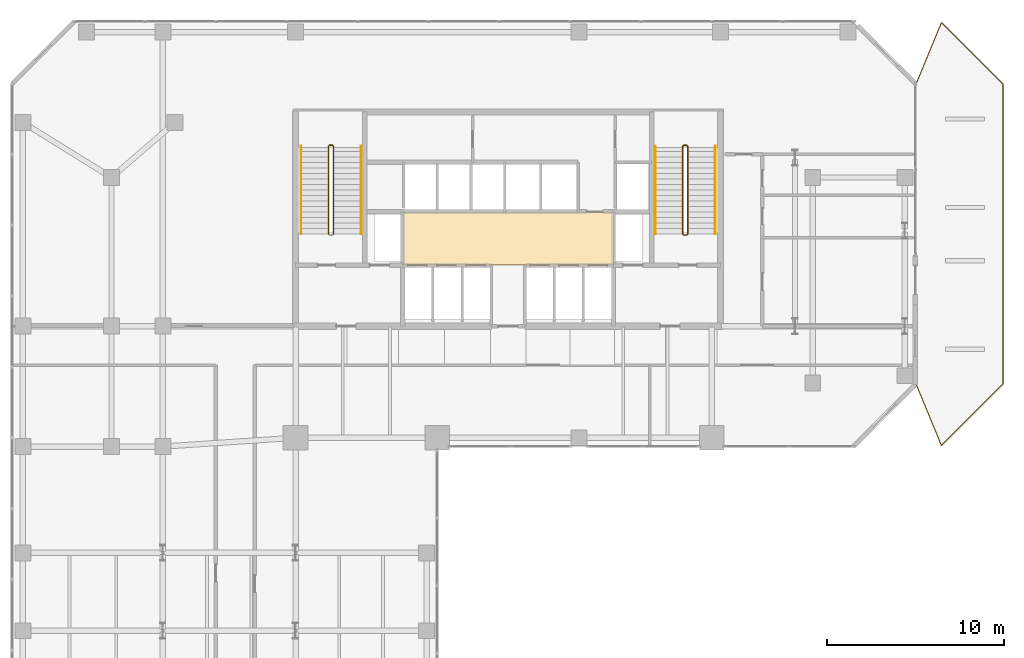
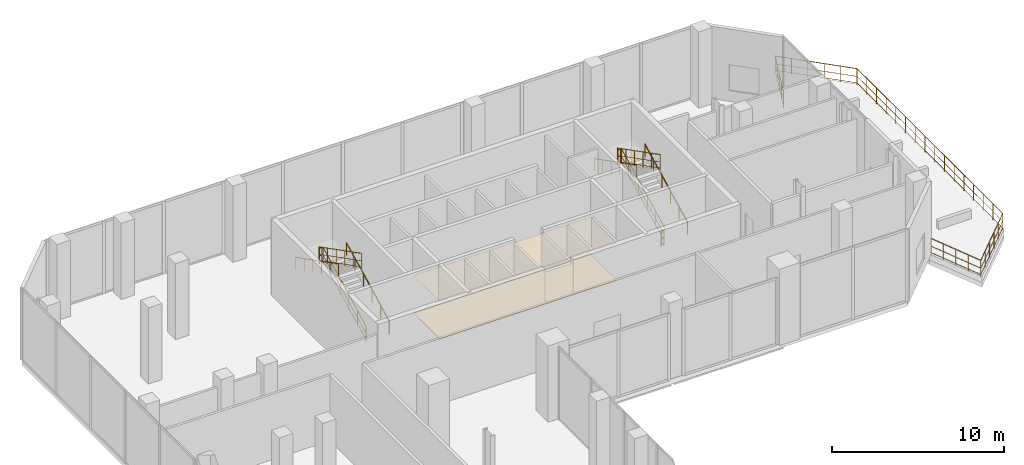
# One storey, part 24 of 24: 12 railings, 2 coverings.
"""IFC4 building model written with IfcOpenShell, lengths in metres."""

from ifc_helpers import new_model, si_unit, direction, frame, origin, origin_2d, place, context, subcontext, project, spatial, polyline, circle, outline, extrude, material, layer, layer_set, type_object, element, save


model = new_model("IFC4")

# Units and contexts
model_context = context("Model", 3, precision=1e-05, world=origin(), true_north=direction((0.0, 1.0)))
body_context = subcontext(model_context, "Body", "Model", "MODEL_VIEW")
ifc_project = project(units=[si_unit("LENGTHUNIT", "METRE"), si_unit("AREAUNIT", "SQUARE_METRE"), si_unit("VOLUMEUNIT", "CUBIC_METRE"), si_unit("PLANEANGLEUNIT", "RADIAN"), si_unit("MASSUNIT", "GRAM", prefix="KILO")], contexts=[model_context])

# Site, building, storey
site_placement = place(None, origin())
site = spatial("IfcSite", under=ifc_project, at=site_placement, CompositionType="ELEMENT")
building_placement = place(site_placement, origin())
building = spatial("IfcBuilding", under=site, at=building_placement, Name="Catumbela Crestline Tower", CompositionType="ELEMENT")
storey_placement = place(building_placement, frame((0.0, 0.0, 84.6)))
storey = spatial("IfcBuildingStorey", under=building, at=storey_placement, Name="L21", CompositionType="ELEMENT", Elevation=84.6)

# Coverings
ifc_material_1 = material(Name="Mineral-fibre acoustic ceiling")
ifc_layer_1 = layer(ifc_material_1, 0.03, Name="Mineral-fibre acoustic ceiling")
ifc_layer_set_1 = layer_set([ifc_layer_1], Name="Mineral-fibre acoustic ceiling")
covering_type_1 = type_object("IfcCoveringType", Name="CC-AC", PredefinedType="CEILING", material=ifc_layer_set_1)
covering_1_placement = place(storey_placement, frame((0.0, 0.0, 2.65)))
element("IfcCovering", 1, at=covering_1_placement, inside=storey, type_object=covering_type_1, Name="L21 Lift Lobby Acoustic Ceiling", PredefinedType="CEILING", context=body_context, shape_type="SweptSolid", body=[
    extrude(outline(polyline([(22.05, 34.25), (33.95, 34.25), (33.95, 37.25), (22.05, 37.25), (22.05, 34.25)])), origin(), (0.0, 0.0, 1.0), 0.03),
])
ifc_material_2 = material(Name="Angolan grey-ochre granite", Category="masonry")
ifc_layer_2 = layer(ifc_material_2, 0.025, Name="Angolan grey-ochre granite")
ifc_layer_set_2 = layer_set([ifc_layer_2], Name="Angolan grey-ochre granite")
covering_type_2 = type_object("IfcCoveringType", Name="CF-GR", PredefinedType="FLOORING", material=ifc_layer_set_2)
covering_2_placement = place(storey_placement, origin())
element("IfcCovering", 2, at=covering_2_placement, inside=storey, type_object=covering_type_2, Name="L21 Lift Lobby Granite Flooring", PredefinedType="FLOORING", context=body_context, shape_type="SweptSolid", body=[
    extrude(outline(polyline([(22.05, 34.25), (33.95, 34.25), (33.95, 37.25), (22.05, 37.25), (22.05, 34.25)])), origin(), (0.0, 0.0, 1.0), 0.025),
])

# Railings
ifc_material_3 = material(Name="Stainless steel EN 1.4401", Category="steel")
railing_type_1 = type_object("IfcRailingType", Name="RG-1100", PredefinedType="GUARDRAIL", material=ifc_material_3)
railing_1_placement = place(storey_placement, frame((18.14, 36.0, 0.1588)))
element("IfcRailing", 3, at=railing_1_placement, inside=storey, type_object=railing_type_1, Name="L21 ST-01 stair guard 1", PredefinedType="GUARDRAIL", context=body_context, shape_type="SweptSolid", body=[
    extrude(circle(Radius=0.024, at=origin_2d()), frame((0.0, 0.0, 1.076), z_axis=(0.0, 0.889991507646, 0.455977100651), x_axis=(-1.0, 0.0, 0.0)), (0.0, 0.0, 1.0), 5.5731),
    extrude(circle(Radius=0.0156, at=origin_2d()), frame((0.0, 0.0, 0.55), z_axis=(0.0, 0.889991507646, 0.455977100651), x_axis=(-1.0, 0.0, 0.0)), (0.0, 0.0, 1.0), 5.5731),
    extrude(circle(Radius=0.0156, at=origin_2d()), frame((0.0, 0.0, 0.12), z_axis=(0.0, 0.889991507646, 0.455977100651), x_axis=(-1.0, 0.0, 0.0)), (0.0, 0.0, 1.0), 5.5731),
    extrude(circle(Radius=0.021, at=origin_2d()), origin(), (0.0, 0.0, 1.0), 1.052),
    extrude(circle(Radius=0.021, at=origin_2d()), frame((0.0, 0.992, 0.5082)), (0.0, 0.0, 1.0), 1.052),
    extrude(circle(Radius=0.021, at=origin_2d()), frame((0.0, 1.984, 1.0165)), (0.0, 0.0, 1.0), 1.052),
    extrude(circle(Radius=0.021, at=origin_2d()), frame((0.0, 2.976, 1.5247)), (0.0, 0.0, 1.0), 1.052),
    extrude(circle(Radius=0.021, at=origin_2d()), frame((0.0, 3.968, 2.033)), (0.0, 0.0, 1.0), 1.052),
    extrude(circle(Radius=0.021, at=origin_2d()), frame((0.0, 4.96, 2.5412)), (0.0, 0.0, 1.0), 1.052),
])
railing_2_placement = place(storey_placement, frame((18.09, 41.01, 2.7)))
element("IfcRailing", 4, at=railing_2_placement, inside=storey, type_object=railing_type_1, Name="L21 ST-01 stair guard 2", PredefinedType="GUARDRAIL", context=body_context, shape_type="SweptSolid", body=[
    extrude(circle(Radius=0.024, at=origin_2d()), frame((0.0, 0.0, 1.076), z_axis=(-1.0, 0.0, 0.0), x_axis=(0.0, -1.0, 0.0)), (0.0, 0.0, 1.0), 0.18),
    extrude(circle(Radius=0.0156, at=origin_2d()), frame((0.0, 0.0, 0.55), z_axis=(-1.0, 0.0, 0.0), x_axis=(0.0, -1.0, 0.0)), (0.0, 0.0, 1.0), 0.18),
    extrude(circle(Radius=0.0156, at=origin_2d()), frame((0.0, 0.0, 0.12), z_axis=(-1.0, 0.0, 0.0), x_axis=(0.0, -1.0, 0.0)), (0.0, 0.0, 1.0), 0.18),
    extrude(circle(Radius=0.021, at=origin_2d()), origin(), (0.0, 0.0, 1.0), 1.052),
    extrude(circle(Radius=0.021, at=origin_2d()), frame((-0.18, 0.0, 0.0)), (0.0, 0.0, 1.0), 1.052),
])
railing_3_placement = place(storey_placement, frame((17.86, 40.96, 2.8588)))
element("IfcRailing", 5, at=railing_3_placement, inside=storey, type_object=railing_type_1, Name="L21 ST-01 stair guard 3", PredefinedType="GUARDRAIL", context=body_context, shape_type="SweptSolid", body=[
    extrude(circle(Radius=0.024, at=origin_2d()), frame((0.0, 0.0, 1.076), z_axis=(0.0, -0.889991507646, 0.455977100651), x_axis=(1.0, 0.0, 0.0)), (0.0, 0.0, 1.0), 5.5731),
    extrude(circle(Radius=0.0156, at=origin_2d()), frame((0.0, 0.0, 0.55), z_axis=(0.0, -0.889991507646, 0.455977100651), x_axis=(1.0, 0.0, 0.0)), (0.0, 0.0, 1.0), 5.5731),
    extrude(circle(Radius=0.0156, at=origin_2d()), frame((0.0, 0.0, 0.12), z_axis=(0.0, -0.889991507646, 0.455977100651), x_axis=(1.0, 0.0, 0.0)), (0.0, 0.0, 1.0), 5.5731),
    extrude(circle(Radius=0.021, at=origin_2d()), origin(), (0.0, 0.0, 1.0), 1.052),
    extrude(circle(Radius=0.021, at=origin_2d()), frame((0.0, -0.992, 0.5082)), (0.0, 0.0, 1.0), 1.052),
    extrude(circle(Radius=0.021, at=origin_2d()), frame((0.0, -1.984, 1.0165)), (0.0, 0.0, 1.0), 1.052),
    extrude(circle(Radius=0.021, at=origin_2d()), frame((0.0, -2.976, 1.5247)), (0.0, 0.0, 1.0), 1.052),
    extrude(circle(Radius=0.021, at=origin_2d()), frame((0.0, -3.968, 2.033)), (0.0, 0.0, 1.0), 1.052),
    extrude(circle(Radius=0.021, at=origin_2d()), frame((0.0, -4.96, 2.5412)), (0.0, 0.0, 1.0), 1.052),
])
railing_4_placement = place(storey_placement, frame((38.14, 36.0, 0.1588)))
element("IfcRailing", 6, at=railing_4_placement, inside=storey, type_object=railing_type_1, Name="L21 ST-02 stair guard 1", PredefinedType="GUARDRAIL", context=body_context, shape_type="SweptSolid", body=[
    extrude(circle(Radius=0.024, at=origin_2d()), frame((0.0, 0.0, 1.076), z_axis=(0.0, 0.889991507646, 0.455977100651), x_axis=(-1.0, 0.0, 0.0)), (0.0, 0.0, 1.0), 5.5731),
    extrude(circle(Radius=0.0156, at=origin_2d()), frame((0.0, 0.0, 0.55), z_axis=(0.0, 0.889991507646, 0.455977100651), x_axis=(-1.0, 0.0, 0.0)), (0.0, 0.0, 1.0), 5.5731),
    extrude(circle(Radius=0.0156, at=origin_2d()), frame((0.0, 0.0, 0.12), z_axis=(0.0, 0.889991507646, 0.455977100651), x_axis=(-1.0, 0.0, 0.0)), (0.0, 0.0, 1.0), 5.5731),
    extrude(circle(Radius=0.021, at=origin_2d()), origin(), (0.0, 0.0, 1.0), 1.052),
    extrude(circle(Radius=0.021, at=origin_2d()), frame((0.0, 0.992, 0.5082)), (0.0, 0.0, 1.0), 1.052),
    extrude(circle(Radius=0.021, at=origin_2d()), frame((0.0, 1.984, 1.0165)), (0.0, 0.0, 1.0), 1.052),
    extrude(circle(Radius=0.021, at=origin_2d()), frame((0.0, 2.976, 1.5247)), (0.0, 0.0, 1.0), 1.052),
    extrude(circle(Radius=0.021, at=origin_2d()), frame((0.0, 3.968, 2.033)), (0.0, 0.0, 1.0), 1.052),
    extrude(circle(Radius=0.021, at=origin_2d()), frame((0.0, 4.96, 2.5412)), (0.0, 0.0, 1.0), 1.052),
])
railing_5_placement = place(storey_placement, frame((38.09, 41.01, 2.7)))
element("IfcRailing", 7, at=railing_5_placement, inside=storey, type_object=railing_type_1, Name="L21 ST-02 stair guard 2", PredefinedType="GUARDRAIL", context=body_context, shape_type="SweptSolid", body=[
    extrude(circle(Radius=0.024, at=origin_2d()), frame((0.0, 0.0, 1.076), z_axis=(-1.0, 0.0, 0.0), x_axis=(0.0, -1.0, 0.0)), (0.0, 0.0, 1.0), 0.18),
    extrude(circle(Radius=0.0156, at=origin_2d()), frame((0.0, 0.0, 0.55), z_axis=(-1.0, 0.0, 0.0), x_axis=(0.0, -1.0, 0.0)), (0.0, 0.0, 1.0), 0.18),
    extrude(circle(Radius=0.0156, at=origin_2d()), frame((0.0, 0.0, 0.12), z_axis=(-1.0, 0.0, 0.0), x_axis=(0.0, -1.0, 0.0)), (0.0, 0.0, 1.0), 0.18),
    extrude(circle(Radius=0.021, at=origin_2d()), origin(), (0.0, 0.0, 1.0), 1.052),
    extrude(circle(Radius=0.021, at=origin_2d()), frame((-0.18, 0.0, 0.0)), (0.0, 0.0, 1.0), 1.052),
])
railing_6_placement = place(storey_placement, frame((37.86, 40.96, 2.8588)))
element("IfcRailing", 8, at=railing_6_placement, inside=storey, type_object=railing_type_1, Name="L21 ST-02 stair guard 3", PredefinedType="GUARDRAIL", context=body_context, shape_type="SweptSolid", body=[
    extrude(circle(Radius=0.024, at=origin_2d()), frame((0.0, 0.0, 1.076), z_axis=(0.0, -0.889991507646, 0.455977100651), x_axis=(1.0, 0.0, 0.0)), (0.0, 0.0, 1.0), 5.5731),
    extrude(circle(Radius=0.0156, at=origin_2d()), frame((0.0, 0.0, 0.55), z_axis=(0.0, -0.889991507646, 0.455977100651), x_axis=(1.0, 0.0, 0.0)), (0.0, 0.0, 1.0), 5.5731),
    extrude(circle(Radius=0.0156, at=origin_2d()), frame((0.0, 0.0, 0.12), z_axis=(0.0, -0.889991507646, 0.455977100651), x_axis=(1.0, 0.0, 0.0)), (0.0, 0.0, 1.0), 5.5731),
    extrude(circle(Radius=0.021, at=origin_2d()), origin(), (0.0, 0.0, 1.0), 1.052),
    extrude(circle(Radius=0.021, at=origin_2d()), frame((0.0, -0.992, 0.5082)), (0.0, 0.0, 1.0), 1.052),
    extrude(circle(Radius=0.021, at=origin_2d()), frame((0.0, -1.984, 1.0165)), (0.0, 0.0, 1.0), 1.052),
    extrude(circle(Radius=0.021, at=origin_2d()), frame((0.0, -2.976, 1.5247)), (0.0, 0.0, 1.0), 1.052),
    extrude(circle(Radius=0.021, at=origin_2d()), frame((0.0, -3.968, 2.033)), (0.0, 0.0, 1.0), 1.052),
    extrude(circle(Radius=0.021, at=origin_2d()), frame((0.0, -4.96, 2.5412)), (0.0, 0.0, 1.0), 1.052),
])
railing_7_placement = place(storey_placement, frame((38.09, 35.95, 0.0)))
element("IfcRailing", 9, at=railing_7_placement, inside=storey, type_object=railing_type_1, Name="L21 ST-02 stair guard 4", PredefinedType="GUARDRAIL", context=body_context, shape_type="SweptSolid", body=[
    extrude(circle(Radius=0.024, at=origin_2d()), frame((0.0, 0.0, 1.076), z_axis=(-1.0, 0.0, 0.0), x_axis=(0.0, -1.0, 0.0)), (0.0, 0.0, 1.0), 0.18),
    extrude(circle(Radius=0.0156, at=origin_2d()), frame((0.0, 0.0, 0.55), z_axis=(-1.0, 0.0, 0.0), x_axis=(0.0, -1.0, 0.0)), (0.0, 0.0, 1.0), 0.18),
    extrude(circle(Radius=0.0156, at=origin_2d()), frame((0.0, 0.0, 0.12), z_axis=(-1.0, 0.0, 0.0), x_axis=(0.0, -1.0, 0.0)), (0.0, 0.0, 1.0), 0.18),
    extrude(circle(Radius=0.021, at=origin_2d()), origin(), (0.0, 0.0, 1.0), 1.052),
    extrude(circle(Radius=0.021, at=origin_2d()), frame((-0.18, 0.0, 0.0)), (0.0, 0.0, 1.0), 1.052),
])
railing_type_2 = type_object("IfcRailingType", Name="RH-0900", PredefinedType="HANDRAIL", material=ifc_material_3)
railing_8_placement = place(storey_placement, frame((19.7, 36.0, 0.1588)))
element("IfcRailing", 10, at=railing_8_placement, inside=storey, type_object=railing_type_2, Name="L21 ST-01 stair handrail 1", PredefinedType="HANDRAIL", context=body_context, shape_type="SweptSolid", body=[
    extrude(circle(Radius=0.024, at=origin_2d()), frame((0.0, 0.0, 0.876), z_axis=(0.0, 0.889991507646, 0.455977100651), x_axis=(-1.0, 0.0, 0.0)), (0.0, 0.0, 1.0), 5.5731),
    extrude(circle(Radius=0.021, at=origin_2d()), origin(), (0.0, 0.0, 1.0), 0.852),
    extrude(circle(Radius=0.021, at=origin_2d()), frame((0.0, 0.992, 0.5082)), (0.0, 0.0, 1.0), 0.852),
    extrude(circle(Radius=0.021, at=origin_2d()), frame((0.0, 1.984, 1.0165)), (0.0, 0.0, 1.0), 0.852),
    extrude(circle(Radius=0.021, at=origin_2d()), frame((0.0, 2.976, 1.5247)), (0.0, 0.0, 1.0), 0.852),
    extrude(circle(Radius=0.021, at=origin_2d()), frame((0.0, 3.968, 2.033)), (0.0, 0.0, 1.0), 0.852),
    extrude(circle(Radius=0.021, at=origin_2d()), frame((0.0, 4.96, 2.5412)), (0.0, 0.0, 1.0), 0.852),
])
railing_9_placement = place(storey_placement, frame((16.3, 40.96, 2.8588)))
element("IfcRailing", 11, at=railing_9_placement, inside=storey, type_object=railing_type_2, Name="L21 ST-01 stair handrail 2", PredefinedType="HANDRAIL", context=body_context, shape_type="SweptSolid", body=[
    extrude(circle(Radius=0.024, at=origin_2d()), frame((0.0, 0.0, 0.876), z_axis=(0.0, -0.889991507646, 0.455977100651), x_axis=(1.0, 0.0, 0.0)), (0.0, 0.0, 1.0), 5.5731),
    extrude(circle(Radius=0.021, at=origin_2d()), origin(), (0.0, 0.0, 1.0), 0.852),
    extrude(circle(Radius=0.021, at=origin_2d()), frame((0.0, -0.992, 0.5082)), (0.0, 0.0, 1.0), 0.852),
    extrude(circle(Radius=0.021, at=origin_2d()), frame((0.0, -1.984, 1.0165)), (0.0, 0.0, 1.0), 0.852),
    extrude(circle(Radius=0.021, at=origin_2d()), frame((0.0, -2.976, 1.5247)), (0.0, 0.0, 1.0), 0.852),
    extrude(circle(Radius=0.021, at=origin_2d()), frame((0.0, -3.968, 2.033)), (0.0, 0.0, 1.0), 0.852),
    extrude(circle(Radius=0.021, at=origin_2d()), frame((0.0, -4.96, 2.5412)), (0.0, 0.0, 1.0), 0.852),
])
railing_10_placement = place(storey_placement, frame((39.7, 36.0, 0.1588)))
element("IfcRailing", 12, at=railing_10_placement, inside=storey, type_object=railing_type_2, Name="L21 ST-02 stair handrail 1", PredefinedType="HANDRAIL", context=body_context, shape_type="SweptSolid", body=[
    extrude(circle(Radius=0.024, at=origin_2d()), frame((0.0, 0.0, 0.876), z_axis=(0.0, 0.889991507646, 0.455977100651), x_axis=(-1.0, 0.0, 0.0)), (0.0, 0.0, 1.0), 5.5731),
    extrude(circle(Radius=0.021, at=origin_2d()), origin(), (0.0, 0.0, 1.0), 0.852),
    extrude(circle(Radius=0.021, at=origin_2d()), frame((0.0, 0.992, 0.5082)), (0.0, 0.0, 1.0), 0.852),
    extrude(circle(Radius=0.021, at=origin_2d()), frame((0.0, 1.984, 1.0165)), (0.0, 0.0, 1.0), 0.852),
    extrude(circle(Radius=0.021, at=origin_2d()), frame((0.0, 2.976, 1.5247)), (0.0, 0.0, 1.0), 0.852),
    extrude(circle(Radius=0.021, at=origin_2d()), frame((0.0, 3.968, 2.033)), (0.0, 0.0, 1.0), 0.852),
    extrude(circle(Radius=0.021, at=origin_2d()), frame((0.0, 4.96, 2.5412)), (0.0, 0.0, 1.0), 0.852),
])
railing_11_placement = place(storey_placement, frame((36.3, 40.96, 2.8588)))
element("IfcRailing", 13, at=railing_11_placement, inside=storey, type_object=railing_type_2, Name="L21 ST-02 stair handrail 2", PredefinedType="HANDRAIL", context=body_context, shape_type="SweptSolid", body=[
    extrude(circle(Radius=0.024, at=origin_2d()), frame((0.0, 0.0, 0.876), z_axis=(0.0, -0.889991507646, 0.455977100651), x_axis=(1.0, 0.0, 0.0)), (0.0, 0.0, 1.0), 5.5731),
    extrude(circle(Radius=0.021, at=origin_2d()), origin(), (0.0, 0.0, 1.0), 0.852),
    extrude(circle(Radius=0.021, at=origin_2d()), frame((0.0, -0.992, 0.5082)), (0.0, 0.0, 1.0), 0.852),
    extrude(circle(Radius=0.021, at=origin_2d()), frame((0.0, -1.984, 1.0165)), (0.0, 0.0, 1.0), 0.852),
    extrude(circle(Radius=0.021, at=origin_2d()), frame((0.0, -2.976, 1.5247)), (0.0, 0.0, 1.0), 0.852),
    extrude(circle(Radius=0.021, at=origin_2d()), frame((0.0, -3.968, 2.033)), (0.0, 0.0, 1.0), 0.852),
    extrude(circle(Radius=0.021, at=origin_2d()), frame((0.0, -4.96, 2.5412)), (0.0, 0.0, 1.0), 0.852),
])
railing_type_3 = type_object("IfcRailingType", Name="RT-1150", PredefinedType="BALUSTRADE", material=ifc_material_3)
railing_12_placement = place(storey_placement, frame((51.06, 27.46, -0.02)))
element("IfcRailing", 14, at=railing_12_placement, inside=storey, type_object=railing_type_3, Name="L21 Sky-Garden Terrace Balustrade TER-L21-E", PredefinedType="BALUSTRADE", context=body_context, shape_type="SweptSolid", body=[
    extrude(circle(Radius=0.024, at=origin_2d()), frame((0.0, 0.0, 1.126), z_axis=(0.380749805254, -0.924678098475, 0.0), x_axis=(0.924678098475, 0.380749805254, 0.0)), (0.0, 0.0, 1.0), 3.677),
    extrude(circle(Radius=0.0156, at=origin_2d()), frame((0.0, 0.0, 0.575), z_axis=(0.380749805254, -0.924678098475, 0.0), x_axis=(0.924678098475, 0.380749805254, 0.0)), (0.0, 0.0, 1.0), 3.677),
    extrude(circle(Radius=0.0156, at=origin_2d()), frame((0.0, 0.0, 0.12), z_axis=(0.380749805254, -0.924678098475, 0.0), x_axis=(0.924678098475, 0.380749805254, 0.0)), (0.0, 0.0, 1.0), 3.677),
    extrude(circle(Radius=0.024, at=origin_2d()), frame((1.4, -3.4, 1.126), z_axis=(0.707106781187, 0.707106781187, 0.0), x_axis=(-0.707106781187, 0.707106781187, 0.0)), (0.0, 0.0, 1.0), 4.9215),
    extrude(circle(Radius=0.0156, at=origin_2d()), frame((1.4, -3.4, 0.575), z_axis=(0.707106781187, 0.707106781187, 0.0), x_axis=(-0.707106781187, 0.707106781187, 0.0)), (0.0, 0.0, 1.0), 4.9215),
    extrude(circle(Radius=0.0156, at=origin_2d()), frame((1.4, -3.4, 0.12), z_axis=(0.707106781187, 0.707106781187, 0.0), x_axis=(-0.707106781187, 0.707106781187, 0.0)), (0.0, 0.0, 1.0), 4.9215),
    extrude(circle(Radius=0.024, at=origin_2d()), frame((4.88, 0.08, 1.126), z_axis=(0.0, 1.0, 0.0), x_axis=(-1.0, 0.0, 0.0)), (0.0, 0.0, 1.0), 16.92),
    extrude(circle(Radius=0.0156, at=origin_2d()), frame((4.88, 0.08, 0.575), z_axis=(0.0, 1.0, 0.0), x_axis=(-1.0, 0.0, 0.0)), (0.0, 0.0, 1.0), 16.92),
    extrude(circle(Radius=0.0156, at=origin_2d()), frame((4.88, 0.08, 0.12), z_axis=(0.0, 1.0, 0.0), x_axis=(-1.0, 0.0, 0.0)), (0.0, 0.0, 1.0), 16.92),
    extrude(circle(Radius=0.024, at=origin_2d()), frame((4.88, 17.0, 1.126), z_axis=(-0.707106781187, 0.707106781187, 0.0), x_axis=(-0.707106781187, -0.707106781187, 0.0)), (0.0, 0.0, 1.0), 4.9215),
    extrude(circle(Radius=0.0156, at=origin_2d()), frame((4.88, 17.0, 0.575), z_axis=(-0.707106781187, 0.707106781187, 0.0), x_axis=(-0.707106781187, -0.707106781187, 0.0)), (0.0, 0.0, 1.0), 4.9215),
    extrude(circle(Radius=0.0156, at=origin_2d()), frame((4.88, 17.0, 0.12), z_axis=(-0.707106781187, 0.707106781187, 0.0), x_axis=(-0.707106781187, -0.707106781187, 0.0)), (0.0, 0.0, 1.0), 4.9215),
    extrude(circle(Radius=0.024, at=origin_2d()), frame((1.4, 20.48, 1.126), z_axis=(-0.380749805254, -0.924678098475, 0.0), x_axis=(0.924678098475, -0.380749805254, 0.0)), (0.0, 0.0, 1.0), 3.677),
    extrude(circle(Radius=0.0156, at=origin_2d()), frame((1.4, 20.48, 0.575), z_axis=(-0.380749805254, -0.924678098475, 0.0), x_axis=(0.924678098475, -0.380749805254, 0.0)), (0.0, 0.0, 1.0), 3.677),
    extrude(circle(Radius=0.0156, at=origin_2d()), frame((1.4, 20.48, 0.12), z_axis=(-0.380749805254, -0.924678098475, 0.0), x_axis=(0.924678098475, -0.380749805254, 0.0)), (0.0, 0.0, 1.0), 3.677),
    extrude(circle(Radius=0.021, at=origin_2d()), origin(), (0.0, 0.0, 1.0), 1.102),
    extrude(circle(Radius=0.021, at=origin_2d()), frame((0.35, -0.85, 0.0)), (0.0, 0.0, 1.0), 1.102),
    extrude(circle(Radius=0.021, at=origin_2d()), frame((0.7, -1.7, 0.0)), (0.0, 0.0, 1.0), 1.102),
    extrude(circle(Radius=0.021, at=origin_2d()), frame((1.05, -2.55, 0.0)), (0.0, 0.0, 1.0), 1.102),
    extrude(circle(Radius=0.021, at=origin_2d()), frame((1.4, -3.4, 0.0)), (0.0, 0.0, 1.0), 1.102),
    extrude(circle(Radius=0.021, at=origin_2d()), frame((2.096, -2.704, 0.0)), (0.0, 0.0, 1.0), 1.102),
    extrude(circle(Radius=0.021, at=origin_2d()), frame((2.792, -2.008, 0.0)), (0.0, 0.0, 1.0), 1.102),
    extrude(circle(Radius=0.021, at=origin_2d()), frame((3.488, -1.312, 0.0)), (0.0, 0.0, 1.0), 1.102),
    extrude(circle(Radius=0.021, at=origin_2d()), frame((4.184, -0.616, 0.0)), (0.0, 0.0, 1.0), 1.102),
    extrude(circle(Radius=0.021, at=origin_2d()), frame((4.88, 0.08, 0.0)), (0.0, 0.0, 1.0), 1.102),
    extrude(circle(Radius=0.021, at=origin_2d()), frame((4.88, 1.208, 0.0)), (0.0, 0.0, 1.0), 1.102),
    extrude(circle(Radius=0.021, at=origin_2d()), frame((4.88, 2.336, 0.0)), (0.0, 0.0, 1.0), 1.102),
    extrude(circle(Radius=0.021, at=origin_2d()), frame((4.88, 3.464, 0.0)), (0.0, 0.0, 1.0), 1.102),
    extrude(circle(Radius=0.021, at=origin_2d()), frame((4.88, 4.592, 0.0)), (0.0, 0.0, 1.0), 1.102),
    extrude(circle(Radius=0.021, at=origin_2d()), frame((4.88, 5.72, 0.0)), (0.0, 0.0, 1.0), 1.102),
    extrude(circle(Radius=0.021, at=origin_2d()), frame((4.88, 6.848, 0.0)), (0.0, 0.0, 1.0), 1.102),
    extrude(circle(Radius=0.021, at=origin_2d()), frame((4.88, 7.976, 0.0)), (0.0, 0.0, 1.0), 1.102),
    extrude(circle(Radius=0.021, at=origin_2d()), frame((4.88, 9.104, 0.0)), (0.0, 0.0, 1.0), 1.102),
    extrude(circle(Radius=0.021, at=origin_2d()), frame((4.88, 10.232, 0.0)), (0.0, 0.0, 1.0), 1.102),
    extrude(circle(Radius=0.021, at=origin_2d()), frame((4.88, 11.36, 0.0)), (0.0, 0.0, 1.0), 1.102),
    extrude(circle(Radius=0.021, at=origin_2d()), frame((4.88, 12.488, 0.0)), (0.0, 0.0, 1.0), 1.102),
    extrude(circle(Radius=0.021, at=origin_2d()), frame((4.88, 13.616, 0.0)), (0.0, 0.0, 1.0), 1.102),
    extrude(circle(Radius=0.021, at=origin_2d()), frame((4.88, 14.744, 0.0)), (0.0, 0.0, 1.0), 1.102),
    extrude(circle(Radius=0.021, at=origin_2d()), frame((4.88, 15.872, 0.0)), (0.0, 0.0, 1.0), 1.102),
    extrude(circle(Radius=0.021, at=origin_2d()), frame((4.88, 17.0, 0.0)), (0.0, 0.0, 1.0), 1.102),
    extrude(circle(Radius=0.021, at=origin_2d()), frame((4.184, 17.696, 0.0)), (0.0, 0.0, 1.0), 1.102),
    extrude(circle(Radius=0.021, at=origin_2d()), frame((3.488, 18.392, 0.0)), (0.0, 0.0, 1.0), 1.102),
    extrude(circle(Radius=0.021, at=origin_2d()), frame((2.792, 19.088, 0.0)), (0.0, 0.0, 1.0), 1.102),
    extrude(circle(Radius=0.021, at=origin_2d()), frame((2.096, 19.784, 0.0)), (0.0, 0.0, 1.0), 1.102),
    extrude(circle(Radius=0.021, at=origin_2d()), frame((1.4, 20.48, 0.0)), (0.0, 0.0, 1.0), 1.102),
    extrude(circle(Radius=0.021, at=origin_2d()), frame((1.05, 19.63, 0.0)), (0.0, 0.0, 1.0), 1.102),
    extrude(circle(Radius=0.021, at=origin_2d()), frame((0.7, 18.78, 0.0)), (0.0, 0.0, 1.0), 1.102),
    extrude(circle(Radius=0.021, at=origin_2d()), frame((0.35, 17.93, 0.0)), (0.0, 0.0, 1.0), 1.102),
    extrude(circle(Radius=0.021, at=origin_2d()), frame((0.0, 17.08, 0.0)), (0.0, 0.0, 1.0), 1.102),
])

save(model, "model.ifc")
